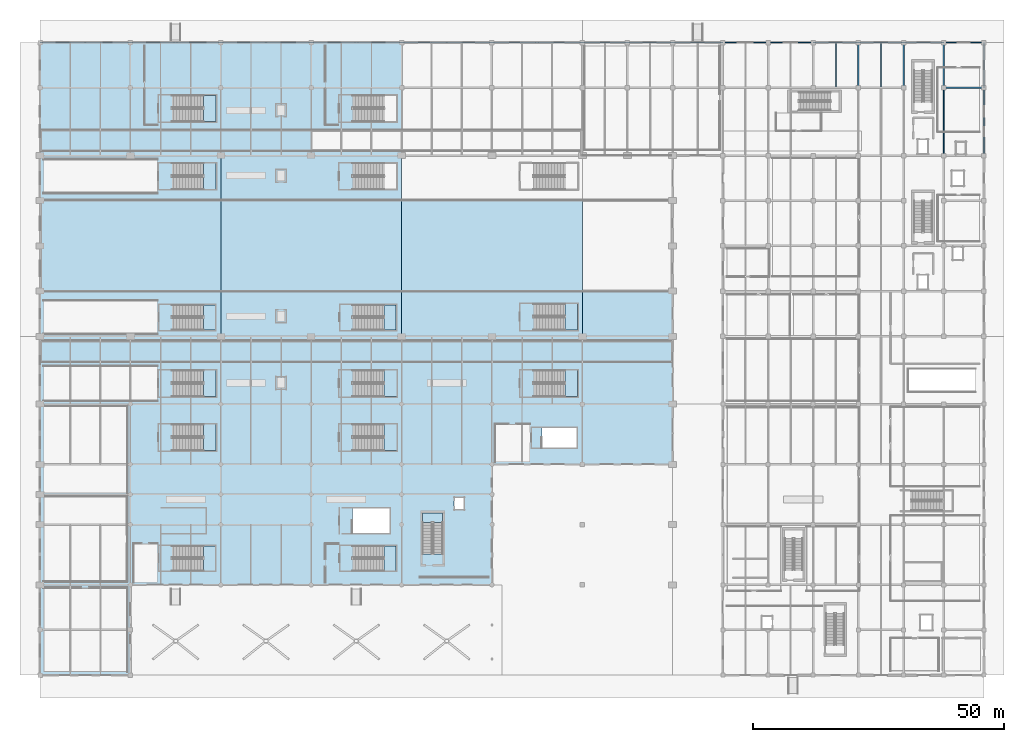
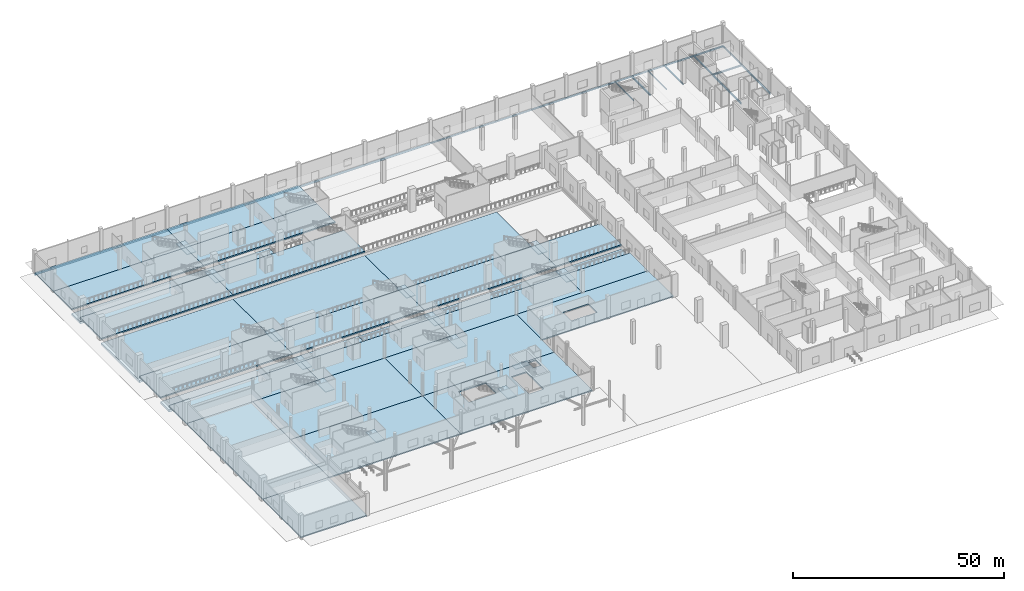
# One storey, part 11 of 65: 41 slabs, 24 beams, 13 elements without a shape of their own.
"""IFC4 building model written with IfcOpenShell, lengths in metres."""

from ifc_helpers import new_model, si_unit, direction, frame, origin, origin_2d, place, context, subcontext, project, spatial, polyline, i_section, outline, extrude, material, layer, layer_set, material_profile, profile_set, type_object, element, aggregate, save


model = new_model("IFC4")

# Units and contexts
model_context = context("Model", 3, precision=1e-05, world=origin(), true_north=direction((0.0, 1.0)))
body_context = subcontext(model_context, "Body", "Model", "MODEL_VIEW")
ifc_project = project(units=[si_unit("LENGTHUNIT", "METRE"), si_unit("AREAUNIT", "SQUARE_METRE"), si_unit("VOLUMEUNIT", "CUBIC_METRE"), si_unit("PLANEANGLEUNIT", "RADIAN"), si_unit("MASSUNIT", "GRAM", prefix="KILO")], contexts=[model_context])

# Site, building, storey
site_placement = place(None, origin())
site = spatial("IfcSite", under=ifc_project, at=site_placement, CompositionType="ELEMENT")
building_placement = place(site_placement, origin())
building = spatial("IfcBuilding", under=site, at=building_placement, Name="Chuanluo Vaults Station", CompositionType="ELEMENT")
storey_placement = place(building_placement, origin())
storey = spatial("IfcBuildingStorey", under=building, at=storey_placement, Name="L00", CompositionType="ELEMENT", Elevation=0.0)

# Beams
ifc_material_1 = material(Name="Steel Q355C", Category="steel")
ifc_material_profile_1 = material_profile(ifc_material_1, i_section(OverallWidth=0.300048828125, OverallDepth=0.389892578125, WebThickness=0.010009765625, FlangeThickness=0.01611328125, FilletRadius=0.02001953125, at=origin_2d()))
ifc_profile_set_1 = profile_set([ifc_material_profile_1], Name="Steel Q355C")
beam_type_1 = type_object("IfcBeamType", Name="BM-GRD-400", PredefinedType="BEAM", material=ifc_profile_set_1)
for number, where, z_axis, x_axis, name in (
    (1, (163.0, 117.0, -0.4951171875), (0.0, 1.0, 0.0), (-1.0, 0.0, 0.0), "Floor girder BM:GY:L00:0243"),
    (2, (172.0, 117.0, -0.4951171875), (0.0, 1.0, 0.0), (-1.0, 0.0, 0.0), "Floor girder BM:GY:L00:0255"),
    (3, (180.0, 117.0, -0.4951171875), (0.0, 1.0, 0.0), (-1.0, 0.0, 0.0), "Floor girder BM:GY:L00:0266"),
):
    element("IfcBeam", number, at=place(storey_placement, frame(where, z_axis=z_axis, x_axis=x_axis)), inside=storey, type_object=beam_type_1, Name=name, PredefinedType="BEAM", context=body_context, shape_type="SweptSolid", body=[
        extrude(i_section(OverallWidth=0.300048828125, OverallDepth=0.389892578125, WebThickness=0.010009765625, FlangeThickness=0.01611328125, FilletRadius=0.02001953125, at=origin_2d()), origin(), (0.0, 0.0, 1.0), 9.0),
    ])
ifc_material_2 = material(Name="Steel Q355C", Category="steel")
ifc_material_profile_2 = material_profile(ifc_material_2, i_section(OverallWidth=0.300048828125, OverallDepth=0.43994140625, WebThickness=0.010986328125, FlangeThickness=0.01806640625, FilletRadius=0.02001953125, at=origin_2d()))
ifc_profile_set_2 = profile_set([ifc_material_profile_2], Name="Steel Q355C")
beam_type_2 = type_object("IfcBeamType", Name="BM-GRD-450", PredefinedType="USERDEFINED", material=ifc_profile_set_2)
beam_1_placement = place(storey_placement, frame((180.0, 117.0, -0.52001953125), z_axis=(1.0, 0.0, 0.0), x_axis=(0.0, 1.0, 0.0)))
element("IfcBeam", 4, at=beam_1_placement, inside=storey, type_object=beam_type_2, Name="Floor girder BM:GX:L00:0122", ObjectType="GIRDER", PredefinedType="USERDEFINED", context=body_context, shape_type="SweptSolid", body=[
    extrude(i_section(OverallWidth=0.300048828125, OverallDepth=0.43994140625, WebThickness=0.010986328125, FlangeThickness=0.01806640625, FilletRadius=0.02001953125, at=origin_2d()), origin(), (0.0, 0.0, 1.0), 8.0),
])
ifc_material_3 = material(Name="Steel Q355C", Category="steel")
ifc_material_profile_3 = material_profile(ifc_material_3, i_section(OverallWidth=0.199951171875, OverallDepth=0.60009765625, WebThickness=0.010986328125, FlangeThickness=0.01708984375, FilletRadius=0.01806640625, at=origin_2d()))
ifc_profile_set_3 = profile_set([ifc_material_profile_3], Name="Steel Q355C")
beam_type_3 = type_object("IfcBeamType", Name="BM-GRD-600", PredefinedType="USERDEFINED", material=ifc_profile_set_3)
beam_2_placement = place(storey_placement, frame((180.0, 103.5, -0.60009765625), z_axis=(0.0, 1.0, 0.0), x_axis=(-1.0, 0.0, 0.0)))
element("IfcBeam", 5, at=beam_2_placement, inside=storey, type_object=beam_type_3, Name="Floor girder BM:GY:L00:0265", ObjectType="GIRDER", PredefinedType="USERDEFINED", context=body_context, shape_type="SweptSolid", body=[
    extrude(i_section(OverallWidth=0.199951171875, OverallDepth=0.60009765625, WebThickness=0.010986328125, FlangeThickness=0.01708984375, FilletRadius=0.01806640625, at=origin_2d()), origin(), (0.0, 0.0, 1.0), 13.5),
])
ifc_material_4 = material(Name="Steel Q355C", Category="steel")
ifc_material_profile_4 = material_profile(ifc_material_4, i_section(OverallWidth=0.125, OverallDepth=0.25, WebThickness=0.006103515625, FlangeThickness=0.009033203125, FilletRadius=0.011962890625, at=origin_2d()))
ifc_profile_set_4 = profile_set([ifc_material_profile_4], Name="Steel Q355C")
beam_type_4 = type_object("IfcBeamType", Name="BM-SEC-250", PredefinedType="JOIST", material=ifc_profile_set_4)
for number, where, z_axis, x_axis, name in (
    (6, (158.5, 117.155029296875, -0.425048828125), (0.0, 1.0, 0.0), (-1.0, 0.0, 0.0), "Composite secondary joist 0092"),
    (7, (167.5, 117.155029296875, -0.425048828125), (0.0, 1.0, 0.0), (-1.0, 0.0, 0.0), "Composite secondary joist 0103"),
):
    element("IfcBeam", number, at=place(storey_placement, frame(where, z_axis=z_axis, x_axis=x_axis)), inside=storey, type_object=beam_type_4, Name=name, PredefinedType="JOIST", context=body_context, shape_type="SweptSolid", body=[
        extrude(i_section(OverallWidth=0.125, OverallDepth=0.25, WebThickness=0.006103515625, FlangeThickness=0.009033203125, FilletRadius=0.011962890625, at=origin_2d()), origin(), (0.0, 0.0, 1.0), 8.737548828125),
    ])
ifc_material_5 = material(Name="Steel Q355C", Category="steel")
ifc_material_profile_5 = material_profile(ifc_material_5, i_section(OverallWidth=0.205078125, OverallDepth=0.4599609375, WebThickness=0.009033203125, FlangeThickness=0.013916015625, FilletRadius=0.01611328125, at=origin_2d()))
ifc_profile_set_5 = profile_set([ifc_material_profile_5], Name="Steel Q355C")
beam_type_5 = type_object("IfcBeamType", Name="BM-SPN-450", PredefinedType="SPANDREL", material=ifc_profile_set_5)
for number, where, z_axis, x_axis, name in (
    (8, (108.0, 126.0, -0.550048828125), (1.0, 0.0, 0.0), (0.0, 1.0, 0.0), "Floor girder BM:GX:L00:0129"),
    (9, (117.0, 126.0, -0.550048828125), (1.0, 0.0, 0.0), (0.0, 1.0, 0.0), "Floor girder BM:GX:L00:0130"),
):
    element("IfcBeam", number, at=place(storey_placement, frame(where, z_axis=z_axis, x_axis=x_axis)), inside=storey, type_object=beam_type_5, Name=name, PredefinedType="SPANDREL", context=body_context, shape_type="SweptSolid", body=[
        extrude(i_section(OverallWidth=0.205078125, OverallDepth=0.4599609375, WebThickness=0.009033203125, FlangeThickness=0.013916015625, FilletRadius=0.01611328125, at=origin_2d()), origin(), (0.0, 0.0, 1.0), 9.0),
    ])
beam_3_placement = place(storey_placement, frame((126.0, 126.0, -0.550048828125), z_axis=(1.0, 0.0, 0.0), x_axis=(0.0, 1.0, 0.0)))
element("IfcBeam", 10, at=beam_3_placement, inside=storey, type_object=beam_type_5, Name="Floor girder BM:GX:L00:0131", PredefinedType="SPANDREL", context=body_context, shape_type="SweptSolid", body=[
    extrude(i_section(OverallWidth=0.205078125, OverallDepth=0.4599609375, WebThickness=0.009033203125, FlangeThickness=0.013916015625, FilletRadius=0.01611328125, at=origin_2d()), origin(), (0.0, 0.0, 1.0), 10.0),
])
for number, where, z_axis, x_axis, name in (
    (11, (136.0, 126.0, -0.530029296875), (1.0, 0.0, 0.0), (0.0, 1.0, 0.0), "Floor girder BM:GX:L00:0132"),
    (12, (145.0, 126.0, -0.530029296875), (1.0, 0.0, 0.0), (0.0, 1.0, 0.0), "Floor girder BM:GX:L00:0133"),
    (13, (154.0, 126.0, -0.530029296875), (1.0, 0.0, 0.0), (0.0, 1.0, 0.0), "Floor girder BM:GX:L00:0134"),
    (14, (163.0, 126.0, -0.530029296875), (1.0, 0.0, 0.0), (0.0, 1.0, 0.0), "Floor girder BM:GX:L00:0135"),
):
    element("IfcBeam", number, at=place(storey_placement, frame(where, z_axis=z_axis, x_axis=x_axis)), inside=storey, type_object=beam_type_5, Name=name, PredefinedType="SPANDREL", context=body_context, shape_type="SweptSolid", body=[
        extrude(i_section(OverallWidth=0.205078125, OverallDepth=0.4599609375, WebThickness=0.009033203125, FlangeThickness=0.013916015625, FilletRadius=0.01611328125, at=origin_2d()), origin(), (0.0, 0.0, 1.0), 9.0),
    ])
for number, where, z_axis, x_axis, name in (
    (15, (172.0, 126.0, -0.530029296875), (1.0, 0.0, 0.0), (0.0, 1.0, 0.0), "Floor girder BM:GX:L00:0136"),
    (16, (180.0, 126.0, -0.530029296875), (1.0, 0.0, 0.0), (0.0, 1.0, 0.0), "Floor girder BM:GX:L00:0137"),
):
    element("IfcBeam", number, at=place(storey_placement, frame(where, z_axis=z_axis, x_axis=x_axis)), inside=storey, type_object=beam_type_5, Name=name, PredefinedType="SPANDREL", context=body_context, shape_type="SweptSolid", body=[
        extrude(i_section(OverallWidth=0.205078125, OverallDepth=0.4599609375, WebThickness=0.009033203125, FlangeThickness=0.013916015625, FilletRadius=0.01611328125, at=origin_2d()), origin(), (0.0, 0.0, 1.0), 8.0),
    ])
beam_4_placement = place(storey_placement, frame((188.0, 117.0, -0.530029296875), z_axis=(0.0, 1.0, 0.0), x_axis=(-1.0, 0.0, 0.0)))
element("IfcBeam", 17, at=beam_4_placement, inside=storey, type_object=beam_type_5, Name="Floor girder BM:GY:L00:0278", PredefinedType="SPANDREL", context=body_context, shape_type="SweptSolid", body=[
    extrude(i_section(OverallWidth=0.205078125, OverallDepth=0.4599609375, WebThickness=0.009033203125, FlangeThickness=0.013916015625, FilletRadius=0.01611328125, at=origin_2d()), origin(), (0.0, 0.0, 1.0), 9.0),
])
ifc_material_6 = material(Name="Steel Q355C", Category="steel")
ifc_material_profile_6 = material_profile(ifc_material_6, i_section(OverallWidth=0.2099609375, OverallDepth=0.580078125, WebThickness=0.010986328125, FlangeThickness=0.01708984375, FilletRadius=0.01806640625, at=origin_2d()))
ifc_profile_set_6 = profile_set([ifc_material_profile_6], Name="Steel Q355C")
beam_type_6 = type_object("IfcBeamType", Name="BM-SPN-600", PredefinedType="SPANDREL", material=ifc_profile_set_6)
for number, where, z_axis, x_axis, name in (
    (18, (0.0, 126.0, -0.610107421875), (1.0, 0.0, 0.0), (0.0, 1.0, 0.0), "Floor girder BM:GX:L00:0123"),
    (19, (18.0, 126.0, -0.610107421875), (1.0, 0.0, 0.0), (0.0, 1.0, 0.0), "Floor girder BM:GX:L00:0124"),
    (20, (36.0, 126.0, -0.610107421875), (1.0, 0.0, 0.0), (0.0, 1.0, 0.0), "Floor girder BM:GX:L00:0125"),
    (21, (54.0, 126.0, -0.610107421875), (1.0, 0.0, 0.0), (0.0, 1.0, 0.0), "Floor girder BM:GX:L00:0126"),
    (22, (72.0, 126.0, -0.610107421875), (1.0, 0.0, 0.0), (0.0, 1.0, 0.0), "Floor girder BM:GX:L00:0127"),
    (23, (90.0, 126.0, -0.610107421875), (1.0, 0.0, 0.0), (0.0, 1.0, 0.0), "Floor girder BM:GX:L00:0128"),
):
    element("IfcBeam", number, at=place(storey_placement, frame(where, z_axis=z_axis, x_axis=x_axis)), inside=storey, type_object=beam_type_6, Name=name, PredefinedType="SPANDREL", context=body_context, shape_type="SweptSolid", body=[
        extrude(i_section(OverallWidth=0.2099609375, OverallDepth=0.580078125, WebThickness=0.010986328125, FlangeThickness=0.01708984375, FilletRadius=0.01806640625, at=origin_2d()), origin(), (0.0, 0.0, 1.0), 18.0),
    ])
beam_5_placement = place(storey_placement, frame((188.0, 103.5, -0.590087890625), z_axis=(0.0, 1.0, 0.0), x_axis=(-1.0, 0.0, 0.0)))
element("IfcBeam", 24, at=beam_5_placement, inside=storey, type_object=beam_type_6, Name="Floor girder BM:GY:L00:0277", PredefinedType="SPANDREL", context=body_context, shape_type="SweptSolid", body=[
    extrude(i_section(OverallWidth=0.2099609375, OverallDepth=0.580078125, WebThickness=0.010986328125, FlangeThickness=0.01708984375, FilletRadius=0.01806640625, at=origin_2d()), origin(), (0.0, 0.0, 1.0), 13.5),
])

# Slabs
ifc_material_7 = material(Name="Concrete C40", Category="concrete")
ifc_layer_1 = layer(ifc_material_7, 0.320068359375)
ifc_layer_set_1 = layer_set([ifc_layer_1], Name="Concrete C40")
slab_type_1 = type_object("IfcSlabType", Name="SLB-CON-320", PredefinedType="FLOOR", material=ifc_layer_set_1)
slab_1_placement = place(storey_placement, frame((0.0, 0.0, -0.320068359375)))
element("IfcSlab", 25, at=slab_1_placement, inside=storey, type_object=slab_type_1, Name="L00 NTH slab 01", PredefinedType="FLOOR", context=body_context, shape_type="SweptSolid", body=[
    extrude(outline(polyline([(0.0, 117.0), (36.0, 117.0), (36.0, 126.0), (0.0, 126.0), (0.0, 117.0)])), origin(), (0.0, 0.0, 1.0), 0.320068359375),
])
slab_2_placement = place(storey_placement, frame((0.0, 0.0, -0.320068359375)))
element("IfcSlab", 26, at=slab_2_placement, inside=storey, type_object=slab_type_1, Name="L00 NTH slab 02", PredefinedType="FLOOR", context=body_context, shape_type="SweptSolid", body=[
    extrude(outline(polyline([(36.0, 117.0), (72.0, 117.0), (72.0, 126.0), (36.0, 126.0), (36.0, 117.0)])), origin(), (0.0, 0.0, 1.0), 0.320068359375),
])
ifc_material_8 = material(Name="Concrete C40", Category="concrete")
ifc_layer_2 = layer(ifc_material_8, 0.35009765625)
ifc_layer_set_2 = layer_set([ifc_layer_2], Name="Concrete C40")
slab_type_2 = type_object("IfcSlabType", Name="SLB-CON-350", PredefinedType="FLOOR", material=ifc_layer_set_2)
slab_3_placement = place(storey_placement, frame((0.0, 0.0, -0.35009765625)))
element("IfcSlab", 27, at=slab_3_placement, inside=storey, type_object=slab_type_2, Name="L00 WST slab 01", PredefinedType="FLOOR", context=body_context, shape_type="SweptSolid", body=[
    extrude(outline(polyline([(0.0, 0.0), (18.0, 0.0), (18.0, 18.0), (0.0, 18.0), (0.0, 0.0)])), origin(), (0.0, 0.0, 1.0), 0.35009765625),
])
slab_4_placement = place(storey_placement, frame((0.0, 0.0, -0.35009765625)))
element("IfcSlab", 28, at=slab_4_placement, inside=storey, type_object=slab_type_2, Name="L00 WST slab 02", PredefinedType="FLOOR", context=body_context, shape_type="SweptSolid", body=[
    extrude(outline(polyline([(0.0, 18.0), (18.0, 18.0), (18.0, 54.0), (0.0, 54.0), (0.0, 18.0)])), origin(), (0.0, 0.0, 1.0), 0.35009765625),
])
slab_5_placement = place(storey_placement, frame((0.0, 0.0, -0.35009765625)))
element("IfcSlab", 29, at=slab_5_placement, inside=storey, type_object=slab_type_2, Name="L00 CON slab 01", PredefinedType="FLOOR", context=body_context, shape_type="SweptSolid", body=[
    extrude(outline(polyline([(18.0, 18.0), (54.0, 18.0), (54.0, 36.0), (18.0, 36.0), (18.0, 18.0)])), origin(), (0.0, 0.0, 1.0), 0.35009765625),
])
slab_6_placement = place(storey_placement, frame((0.0, 0.0, -0.35009765625)))
element("IfcSlab", 30, at=slab_6_placement, inside=storey, type_object=slab_type_2, Name="L00 CON slab 02", PredefinedType="FLOOR", context=body_context, shape_type="SweptSolid", body=[
    extrude(outline(polyline([(18.0, 36.0), (54.0, 36.0), (54.0, 54.0), (18.0, 54.0), (18.0, 36.0)])), origin(), (0.0, 0.0, 1.0), 0.35009765625),
])
slab_7_placement = place(storey_placement, frame((0.0, 0.0, -0.35009765625)))
element("IfcSlab", 31, at=slab_7_placement, inside=storey, type_object=slab_type_2, Name="L00 CON slab 03", PredefinedType="FLOOR", context=body_context, shape_type="SweptSolid", body=[
    extrude(outline(polyline([(54.0, 18.0), (90.0, 18.0), (90.0, 36.0), (54.0, 36.0), (54.0, 18.0)]), holes=[polyline([(80.1875, 24.12890625), (80.1875, 32.300048828125), (76.1875, 32.300048828125), (76.1875, 24.12890625), (80.1875, 24.12890625)]), polyline([(62.19140625, 28.25), (69.66259765625, 28.25), (69.66259765625, 33.25), (62.19140625, 33.25), (62.19140625, 28.25)]), polyline([(82.47998046875, 32.929931640625), (84.52001953125, 32.929931640625), (84.52001953125, 35.469970703125), (82.47998046875, 35.469970703125), (82.47998046875, 32.929931640625)])]), origin(), (0.0, 0.0, 1.0), 0.35009765625),
])
slab_8_placement = place(storey_placement, frame((0.0, 0.0, -0.35009765625)))
element("IfcSlab", 32, at=slab_8_placement, inside=storey, type_object=slab_type_2, Name="L00 CON slab 04", PredefinedType="FLOOR", context=body_context, shape_type="SweptSolid", body=[
    extrude(outline(polyline([(54.0, 36.0), (90.0, 36.0), (90.0, 54.0), (54.0, 54.0), (54.0, 36.0)])), origin(), (0.0, 0.0, 1.0), 0.35009765625),
])
slab_9_placement = place(storey_placement, frame((0.0, 0.0, -0.35009765625)))
element("IfcSlab", 33, at=slab_9_placement, inside=storey, type_object=slab_type_2, Name="L00 CON2 slab 01", PredefinedType="FLOOR", context=body_context, shape_type="SweptSolid", body=[
    extrude(outline(polyline([(90.0, 42.0), (126.0, 42.0), (126.0, 54.0), (90.0, 54.0), (90.0, 42.0)]), holes=[polyline([(99.94140625, 45.25), (106.91259765625, 45.25), (106.91259765625, 49.25), (99.94140625, 49.25), (99.94140625, 45.25)])]), origin(), (0.0, 0.0, 1.0), 0.35009765625),
])

# Stair, slab
ifc_material_9 = material(Name="Concrete C40", Category="concrete")
stair_type_1 = type_object("IfcStairType", Name="STR-TWO-2500", PredefinedType="HALF_TURN_STAIR", material=ifc_material_9)
stair_1_placement = place(storey_placement, origin())
stair_1 = element("IfcStair", 34, at=stair_1_placement, inside=storey, type_object=stair_type_1, Name="L00 ST-07", PredefinedType="HALF_TURN_STAIR")
ifc_material_10 = material(Name="Concrete C40", Category="concrete")
ifc_layer_3 = layer(ifc_material_10, 0.18994140625)
ifc_layer_set_3 = layer_set([ifc_layer_3], Name="Concrete C40")
slab_type_3 = type_object("IfcSlabType", Name="SLB-LND-190", PredefinedType="LANDING", material=ifc_layer_set_3)
slab_10_placement = place(storey_placement, frame((0.0, 0.0, 3.10009765625)))
slab_10 = element("IfcSlab", 35, at=slab_10_placement, type_object=slab_type_3, Name="ST-07 landing 1", PredefinedType="LANDING", context=body_context, shape_type="SweptSolid", body=[
    extrude(outline(polyline([(32.550048828125, 55.5), (35.050048828125, 55.5), (35.050048828125, 60.75), (32.550048828125, 60.75), (32.550048828125, 55.5)])), origin(), (0.0, 0.0, 1.0), 0.199951171875),
])
aggregate(stair_1, [slab_10])

stair_2_placement = place(storey_placement, origin())
stair_2 = element("IfcStair", 36, at=stair_2_placement, inside=storey, type_object=stair_type_1, Name="L00 ST-08", PredefinedType="HALF_TURN_STAIR")
slab_11_placement = place(storey_placement, frame((0.0, 0.0, 3.10009765625)))
slab_11 = element("IfcSlab", 37, at=slab_11_placement, type_object=slab_type_3, Name="ST-08 landing 1", PredefinedType="LANDING", context=body_context, shape_type="SweptSolid", body=[
    extrude(outline(polyline([(68.550048828125, 55.5), (71.050048828125, 55.5), (71.050048828125, 60.75), (68.550048828125, 60.75), (68.550048828125, 55.5)])), origin(), (0.0, 0.0, 1.0), 0.199951171875),
])
aggregate(stair_2, [slab_11])

stair_3_placement = place(storey_placement, origin())
stair_3 = element("IfcStair", 38, at=stair_3_placement, inside=storey, type_object=stair_type_1, Name="L00 ST-09", PredefinedType="HALF_TURN_STAIR")
slab_12_placement = place(storey_placement, frame((0.0, 0.0, 3.10009765625)))
slab_12 = element("IfcSlab", 39, at=slab_12_placement, type_object=slab_type_3, Name="ST-09 landing 1", PredefinedType="LANDING", context=body_context, shape_type="SweptSolid", body=[
    extrude(outline(polyline([(104.550048828125, 55.5), (107.050048828125, 55.5), (107.050048828125, 60.75), (104.550048828125, 60.75), (104.550048828125, 55.5)])), origin(), (0.0, 0.0, 1.0), 0.199951171875),
])
aggregate(stair_3, [slab_12])

ifc_material_11 = material(Name="Concrete C40", Category="concrete")
stair_type_2 = type_object("IfcStairType", Name="STR-TWO-2400", PredefinedType="HALF_TURN_STAIR", material=ifc_material_11)
stair_4_placement = place(storey_placement, origin())
stair_4 = element("IfcStair", 40, at=stair_4_placement, inside=storey, type_object=stair_type_2, Name="L00 ST-10", PredefinedType="HALF_TURN_STAIR")
slab_13_placement = place(storey_placement, frame((0.0, 0.0, 3.10009765625)))
slab_13 = element("IfcSlab", 41, at=slab_13_placement, type_object=slab_type_3, Name="ST-10 landing 1", PredefinedType="LANDING", context=body_context, shape_type="SweptSolid", body=[
    extrude(outline(polyline([(32.550048828125, 68.75), (34.925048828125, 68.75), (34.925048828125, 73.75), (32.550048828125, 73.75), (32.550048828125, 68.75)])), origin(), (0.0, 0.0, 1.0), 0.199951171875),
])
aggregate(stair_4, [slab_13])

stair_5_placement = place(storey_placement, origin())
stair_5 = element("IfcStair", 42, at=stair_5_placement, inside=storey, type_object=stair_type_2, Name="L00 ST-11", PredefinedType="HALF_TURN_STAIR")
slab_14_placement = place(storey_placement, frame((0.0, 0.0, 3.10009765625)))
slab_14 = element("IfcSlab", 43, at=slab_14_placement, type_object=slab_type_3, Name="ST-11 landing 1", PredefinedType="LANDING", context=body_context, shape_type="SweptSolid", body=[
    extrude(outline(polyline([(68.550048828125, 68.75), (70.925048828125, 68.75), (70.925048828125, 73.75), (68.550048828125, 73.75), (68.550048828125, 68.75)])), origin(), (0.0, 0.0, 1.0), 0.199951171875),
])
aggregate(stair_5, [slab_14])

stair_6_placement = place(storey_placement, origin())
stair_6 = element("IfcStair", 44, at=stair_6_placement, inside=storey, type_object=stair_type_1, Name="L00 ST-12", PredefinedType="HALF_TURN_STAIR")
slab_15_placement = place(storey_placement, frame((0.0, 0.0, 3.10009765625)))
slab_15 = element("IfcSlab", 45, at=slab_15_placement, type_object=slab_type_3, Name="ST-12 landing 1", PredefinedType="LANDING", context=body_context, shape_type="SweptSolid", body=[
    extrude(outline(polyline([(104.550048828125, 68.75), (107.050048828125, 68.75), (107.050048828125, 74.0), (104.550048828125, 74.0), (104.550048828125, 68.75)])), origin(), (0.0, 0.0, 1.0), 0.199951171875),
])
aggregate(stair_6, [slab_15])

stair_7_placement = place(storey_placement, origin())
stair_7 = element("IfcStair", 46, at=stair_7_placement, inside=storey, type_object=stair_type_1, Name="L00 ST-13", PredefinedType="HALF_TURN_STAIR")
slab_16_placement = place(storey_placement, frame((0.0, 0.0, 3.10009765625)))
slab_16 = element("IfcSlab", 47, at=slab_16_placement, type_object=slab_type_3, Name="ST-13 landing 1", PredefinedType="LANDING", context=body_context, shape_type="SweptSolid", body=[
    extrude(outline(polyline([(32.550048828125, 96.75), (35.050048828125, 96.75), (35.050048828125, 102.0), (32.550048828125, 102.0), (32.550048828125, 96.75)])), origin(), (0.0, 0.0, 1.0), 0.199951171875),
])
aggregate(stair_7, [slab_16])

stair_8_placement = place(storey_placement, origin())
stair_8 = element("IfcStair", 48, at=stair_8_placement, inside=storey, type_object=stair_type_1, Name="L00 ST-16", PredefinedType="HALF_TURN_STAIR")
slab_17_placement = place(storey_placement, frame((0.0, 0.0, 3.10009765625)))
slab_17 = element("IfcSlab", 49, at=slab_17_placement, type_object=slab_type_3, Name="ST-16 landing 1", PredefinedType="LANDING", context=body_context, shape_type="SweptSolid", body=[
    extrude(outline(polyline([(32.550048828125, 110.25), (35.050048828125, 110.25), (35.050048828125, 115.5), (32.550048828125, 115.5), (32.550048828125, 110.25)])), origin(), (0.0, 0.0, 1.0), 0.199951171875),
])
aggregate(stair_8, [slab_17])

stair_9_placement = place(storey_placement, origin())
stair_9 = element("IfcStair", 50, at=stair_9_placement, inside=storey, type_object=stair_type_2, Name="L00 ST-18", PredefinedType="HALF_TURN_STAIR")
slab_18_placement = place(storey_placement, frame((0.0, 0.0, 3.10009765625)))
slab_18 = element("IfcSlab", 51, at=slab_18_placement, type_object=slab_type_3, Name="ST-18 landing 1", PredefinedType="LANDING", context=body_context, shape_type="SweptSolid", body=[
    extrude(outline(polyline([(32.550048828125, 20.75), (34.925048828125, 20.75), (34.925048828125, 25.75), (32.550048828125, 25.75), (32.550048828125, 20.75)])), origin(), (0.0, 0.0, 1.0), 0.199951171875),
])
aggregate(stair_9, [slab_18])

stair_10_placement = place(storey_placement, origin())
stair_10 = element("IfcStair", 52, at=stair_10_placement, inside=storey, type_object=stair_type_2, Name="L00 ST-19", PredefinedType="HALF_TURN_STAIR")
slab_19_placement = place(storey_placement, frame((0.0, 0.0, 3.10009765625)))
slab_19 = element("IfcSlab", 53, at=slab_19_placement, type_object=slab_type_3, Name="ST-19 landing 1", PredefinedType="LANDING", context=body_context, shape_type="SweptSolid", body=[
    extrude(outline(polyline([(68.550048828125, 20.75), (70.925048828125, 20.75), (70.925048828125, 25.75), (68.550048828125, 25.75), (68.550048828125, 20.75)])), origin(), (0.0, 0.0, 1.0), 0.199951171875),
])
aggregate(stair_10, [slab_19])

stair_11_placement = place(storey_placement, origin())
stair_11 = element("IfcStair", 54, at=stair_11_placement, inside=storey, type_object=stair_type_1, Name="L00 ST-20", PredefinedType="HALF_TURN_STAIR")
slab_20_placement = place(storey_placement, frame((0.0, 0.0, 3.10009765625)))
slab_20 = element("IfcSlab", 55, at=slab_20_placement, type_object=slab_type_3, Name="ST-20 landing 1", PredefinedType="LANDING", context=body_context, shape_type="SweptSolid", body=[
    extrude(outline(polyline([(32.550048828125, 44.75), (35.050048828125, 44.75), (35.050048828125, 50.0), (32.550048828125, 50.0), (32.550048828125, 44.75)])), origin(), (0.0, 0.0, 1.0), 0.199951171875),
])
aggregate(stair_11, [slab_20])

stair_12_placement = place(storey_placement, origin())
stair_12 = element("IfcStair", 56, at=stair_12_placement, inside=storey, type_object=stair_type_1, Name="L00 ST-21", PredefinedType="HALF_TURN_STAIR")
slab_21_placement = place(storey_placement, frame((0.0, 0.0, 3.10009765625)))
slab_21 = element("IfcSlab", 57, at=slab_21_placement, type_object=slab_type_3, Name="ST-21 landing 1", PredefinedType="LANDING", context=body_context, shape_type="SweptSolid", body=[
    extrude(outline(polyline([(68.550048828125, 44.75), (71.050048828125, 44.75), (71.050048828125, 50.0), (68.550048828125, 50.0), (68.550048828125, 44.75)])), origin(), (0.0, 0.0, 1.0), 0.199951171875),
])
aggregate(stair_12, [slab_21])

ifc_material_12 = material(Name="Concrete C40", Category="concrete")
stair_type_3 = type_object("IfcStairType", Name="STR-TWO-1800", PredefinedType="HALF_TURN_STAIR", material=ifc_material_12)
stair_13_placement = place(storey_placement, origin())
stair_13 = element("IfcStair", 58, at=stair_13_placement, inside=storey, type_object=stair_type_3, Name="L00 ST-06", PredefinedType="HALF_TURN_STAIR")
ifc_material_13 = material(Name="Concrete C40", Category="concrete")
ifc_layer_4 = layer(ifc_material_13, 0.199951171875)
ifc_layer_set_4 = layer_set([ifc_layer_4], Name="Concrete C40")
slab_type_4 = type_object("IfcSlabType", Name="SLB-LND-200", PredefinedType="LANDING", material=ifc_layer_set_4)
slab_22_placement = place(storey_placement, frame((0.0, 0.0, 3.10009765625)))
slab_22 = element("IfcSlab", 59, at=slab_22_placement, type_object=slab_type_4, Name="ST-06 landing 1", PredefinedType="LANDING", context=body_context, shape_type="SweptSolid", body=[
    extrude(outline(polyline([(80.1875, 30.425048828125), (80.1875, 32.300048828125), (76.1875, 32.300048828125), (76.1875, 30.425048828125), (80.1875, 30.425048828125)])), origin(), (0.0, 0.0, 1.0), 0.199951171875),
])
aggregate(stair_13, [slab_22])

# Slabs
ifc_material_14 = material(Name="Concrete C40", Category="concrete")
ifc_layer_5 = layer(ifc_material_14, 0.3798828125)
ifc_layer_set_5 = layer_set([ifc_layer_5], Name="Concrete C40")
slab_type_5 = type_object("IfcSlabType", Name="SLB-PLT-380", PredefinedType="FLOOR", material=ifc_layer_set_5)
slab_23_placement = place(storey_placement, frame((0.0, 0.0, -0.3798828125)))
element("IfcSlab", 60, at=slab_23_placement, inside=storey, type_object=slab_type_5, Name="L00 PLT1 slab 01", PredefinedType="FLOOR", context=body_context, shape_type="SweptSolid", body=[
    extrude(outline(polyline([(0.0, 54.0), (36.0, 54.0), (36.0, 62.5), (0.0, 62.5), (0.0, 54.0)])), origin(), (0.0, 0.0, 1.0), 0.3798828125),
])
slab_24_placement = place(storey_placement, frame((0.0, 0.0, -0.3798828125)))
element("IfcSlab", 61, at=slab_24_placement, inside=storey, type_object=slab_type_5, Name="L00 PLT1 slab 02", PredefinedType="FLOOR", context=body_context, shape_type="SweptSolid", body=[
    extrude(outline(polyline([(36.0, 54.0), (72.0, 54.0), (72.0, 62.5), (36.0, 62.5), (36.0, 54.0)])), origin(), (0.0, 0.0, 1.0), 0.3798828125),
])
slab_25_placement = place(storey_placement, frame((0.0, 0.0, -0.3798828125)))
element("IfcSlab", 62, at=slab_25_placement, inside=storey, type_object=slab_type_5, Name="L00 PLT1 slab 03", PredefinedType="FLOOR", context=body_context, shape_type="SweptSolid", body=[
    extrude(outline(polyline([(72.0, 54.0), (108.0, 54.0), (108.0, 62.5), (72.0, 62.5), (72.0, 54.0)])), origin(), (0.0, 0.0, 1.0), 0.3798828125),
])
slab_26_placement = place(storey_placement, frame((0.0, 0.0, -0.3798828125)))
element("IfcSlab", 63, at=slab_26_placement, inside=storey, type_object=slab_type_5, Name="L00 PLT1 slab 04", PredefinedType="FLOOR", context=body_context, shape_type="SweptSolid", body=[
    extrude(outline(polyline([(108.0, 54.0), (126.0, 54.0), (126.0, 62.5), (108.0, 62.5), (108.0, 54.0)])), origin(), (0.0, 0.0, 1.0), 0.3798828125),
])
slab_27_placement = place(storey_placement, frame((0.0, 0.0, -0.3798828125)))
element("IfcSlab", 64, at=slab_27_placement, inside=storey, type_object=slab_type_5, Name="L00 PLT2 slab 01", PredefinedType="FLOOR", context=body_context, shape_type="SweptSolid", body=[
    extrude(outline(polyline([(0.0, 66.5), (36.0, 66.5), (36.0, 76.5), (0.0, 76.5), (0.0, 66.5)])), origin(), (0.0, 0.0, 1.0), 0.3798828125),
])
slab_28_placement = place(storey_placement, frame((0.0, 0.0, -0.3798828125)))
element("IfcSlab", 65, at=slab_28_placement, inside=storey, type_object=slab_type_5, Name="L00 PLT2 slab 02", PredefinedType="FLOOR", context=body_context, shape_type="SweptSolid", body=[
    extrude(outline(polyline([(36.0, 66.5), (72.0, 66.5), (72.0, 76.5), (36.0, 76.5), (36.0, 66.5)])), origin(), (0.0, 0.0, 1.0), 0.3798828125),
])
slab_29_placement = place(storey_placement, frame((0.0, 0.0, -0.3798828125)))
element("IfcSlab", 66, at=slab_29_placement, inside=storey, type_object=slab_type_5, Name="L00 PLT2 slab 03", PredefinedType="FLOOR", context=body_context, shape_type="SweptSolid", body=[
    extrude(outline(polyline([(72.0, 66.5), (108.0, 66.5), (108.0, 76.5), (72.0, 76.5), (72.0, 66.5)])), origin(), (0.0, 0.0, 1.0), 0.3798828125),
])
slab_30_placement = place(storey_placement, frame((0.0, 0.0, -0.3798828125)))
element("IfcSlab", 67, at=slab_30_placement, inside=storey, type_object=slab_type_5, Name="L00 PLT2 slab 04", PredefinedType="FLOOR", context=body_context, shape_type="SweptSolid", body=[
    extrude(outline(polyline([(108.0, 66.5), (126.0, 66.5), (126.0, 76.5), (108.0, 76.5), (108.0, 66.5)])), origin(), (0.0, 0.0, 1.0), 0.3798828125),
])
slab_31_placement = place(storey_placement, frame((0.0, 0.0, -0.3798828125)))
element("IfcSlab", 68, at=slab_31_placement, inside=storey, type_object=slab_type_5, Name="L00 PLT3 slab 01", PredefinedType="FLOOR", context=body_context, shape_type="SweptSolid", body=[
    extrude(outline(polyline([(0.0, 94.5), (36.0, 94.5), (36.0, 104.5), (0.0, 104.5), (0.0, 94.5)])), origin(), (0.0, 0.0, 1.0), 0.3798828125),
])
slab_32_placement = place(storey_placement, frame((0.0, 0.0, -0.3798828125)))
element("IfcSlab", 69, at=slab_32_placement, inside=storey, type_object=slab_type_5, Name="L00 PLT3 slab 02", PredefinedType="FLOOR", context=body_context, shape_type="SweptSolid", body=[
    extrude(outline(polyline([(36.0, 94.5), (72.0, 94.5), (72.0, 104.5), (36.0, 104.5), (36.0, 94.5)])), origin(), (0.0, 0.0, 1.0), 0.3798828125),
])
slab_33_placement = place(storey_placement, frame((0.0, 0.0, -0.3798828125)))
element("IfcSlab", 70, at=slab_33_placement, inside=storey, type_object=slab_type_5, Name="L00 PLT4 slab 01", PredefinedType="FLOOR", context=body_context, shape_type="SweptSolid", body=[
    extrude(outline(polyline([(0.0, 108.5), (36.0, 108.5), (36.0, 117.0), (0.0, 117.0), (0.0, 108.5)])), origin(), (0.0, 0.0, 1.0), 0.3798828125),
])
slab_34_placement = place(storey_placement, frame((0.0, 0.0, -0.3798828125)))
element("IfcSlab", 71, at=slab_34_placement, inside=storey, type_object=slab_type_5, Name="L00 PLT4 slab 02", PredefinedType="FLOOR", context=body_context, shape_type="SweptSolid", body=[
    extrude(outline(polyline([(36.0, 108.5), (72.0, 108.5), (72.0, 117.0), (36.0, 117.0), (36.0, 108.5)])), origin(), (0.0, 0.0, 1.0), 0.3798828125),
])
ifc_material_15 = material(Name="Concrete C40", Category="concrete")
ifc_layer_6 = layer(ifc_material_15, 0.64990234375)
ifc_layer_set_6 = layer_set([ifc_layer_6], Name="Concrete C40")
slab_type_6 = type_object("IfcSlabType", Name="SLB-TRK-650", PredefinedType="BASESLAB", material=ifc_layer_set_6)
slab_35_placement = place(storey_placement, frame((0.0, 0.0, -1.89990234375)))
element("IfcSlab", 72, at=slab_35_placement, inside=storey, type_object=slab_type_6, Name="L00 TRK1 slab 01", PredefinedType="BASESLAB", context=body_context, shape_type="SweptSolid", body=[
    extrude(outline(polyline([(0.0, 62.5), (54.0, 62.5), (54.0, 66.5), (0.0, 66.5), (0.0, 62.5)])), origin(), (0.0, 0.0, 1.0), 0.64990234375),
])
slab_36_placement = place(storey_placement, frame((0.0, 0.0, -1.89990234375)))
element("IfcSlab", 73, at=slab_36_placement, inside=storey, type_object=slab_type_6, Name="L00 TRK1 slab 02", PredefinedType="BASESLAB", context=body_context, shape_type="SweptSolid", body=[
    extrude(outline(polyline([(54.0, 62.5), (108.0, 62.5), (108.0, 66.5), (54.0, 66.5), (54.0, 62.5)])), origin(), (0.0, 0.0, 1.0), 0.64990234375),
])
slab_37_placement = place(storey_placement, frame((0.0, 0.0, -1.89990234375)))
element("IfcSlab", 74, at=slab_37_placement, inside=storey, type_object=slab_type_6, Name="L00 TRK1 slab 03", PredefinedType="BASESLAB", context=body_context, shape_type="SweptSolid", body=[
    extrude(outline(polyline([(108.0, 62.5), (126.0, 62.5), (126.0, 66.5), (108.0, 66.5), (108.0, 62.5)])), origin(), (0.0, 0.0, 1.0), 0.64990234375),
])
slab_38_placement = place(storey_placement, frame((0.0, 0.0, -1.89990234375)))
element("IfcSlab", 75, at=slab_38_placement, inside=storey, type_object=slab_type_6, Name="L00 TRK25 slab 01", PredefinedType="BASESLAB", context=body_context, shape_type="SweptSolid", body=[
    extrude(outline(polyline([(0.0, 76.5), (36.0, 76.5), (36.0, 94.5), (0.0, 94.5), (0.0, 76.5)])), origin(), (0.0, 0.0, 1.0), 0.64990234375),
])
slab_39_placement = place(storey_placement, frame((0.0, 0.0, -1.89990234375)))
element("IfcSlab", 76, at=slab_39_placement, inside=storey, type_object=slab_type_6, Name="L00 TRK25 slab 02", PredefinedType="BASESLAB", context=body_context, shape_type="SweptSolid", body=[
    extrude(outline(polyline([(36.0, 76.5), (72.0, 76.5), (72.0, 94.5), (36.0, 94.5), (36.0, 76.5)])), origin(), (0.0, 0.0, 1.0), 0.64990234375),
])
slab_40_placement = place(storey_placement, frame((0.0, 0.0, -1.89990234375)))
element("IfcSlab", 77, at=slab_40_placement, inside=storey, type_object=slab_type_6, Name="L00 TRK25 slab 03", PredefinedType="BASESLAB", context=body_context, shape_type="SweptSolid", body=[
    extrude(outline(polyline([(72.0, 76.5), (108.0, 76.5), (108.0, 94.5), (72.0, 94.5), (72.0, 76.5)])), origin(), (0.0, 0.0, 1.0), 0.64990234375),
])
slab_41_placement = place(storey_placement, frame((0.0, 0.0, -1.89990234375)))
element("IfcSlab", 78, at=slab_41_placement, inside=storey, type_object=slab_type_6, Name="L00 TRK6 slab 01", PredefinedType="BASESLAB", context=body_context, shape_type="SweptSolid", body=[
    extrude(outline(polyline([(0.0, 104.5), (54.0, 104.5), (54.0, 108.5), (0.0, 108.5), (0.0, 104.5)])), origin(), (0.0, 0.0, 1.0), 0.64990234375),
])

save(model, "model.ifc")
